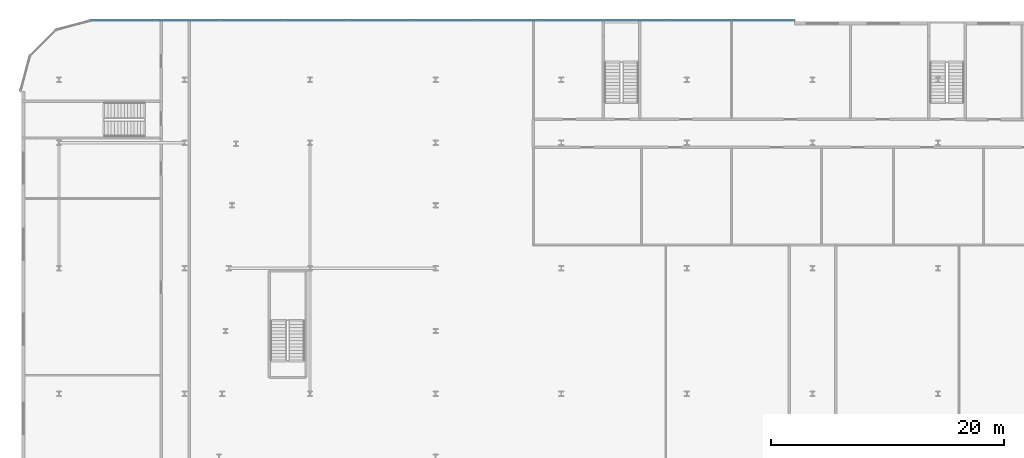
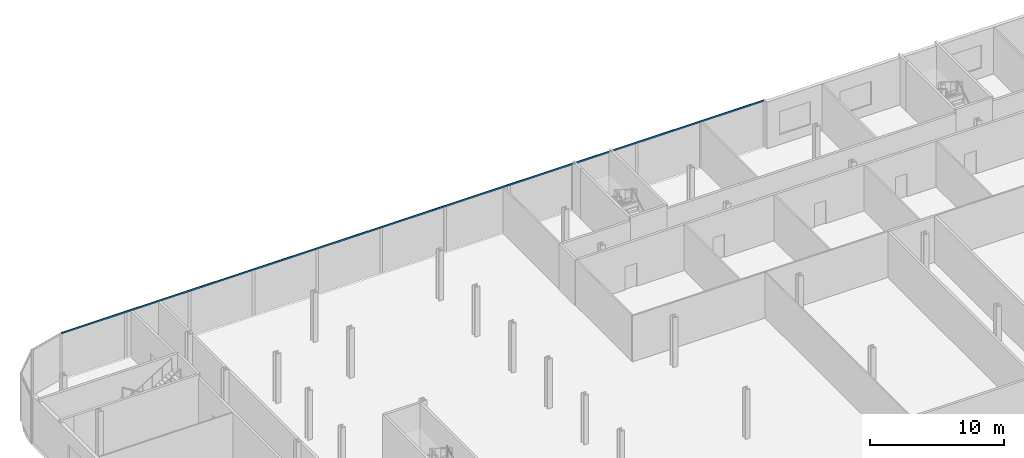
# One storey, part 17 of 47: 1 member, 1 element without a shape of its own.
"""IFC4 building model written with IfcOpenShell, lengths in metres."""

from ifc_helpers import new_model, si_unit, direction, frame, origin, origin_2d, place, context, subcontext, project, spatial, rectangle, extrude, material, layer, layer_set, material_profile, profile_set, type_object, element, aggregate, save


model = new_model("IFC4")

# Units and contexts
model_context = context("Model", 3, precision=1e-05, world=origin(), true_north=direction((0.0, 1.0)))
body_context = subcontext(model_context, "Body", "Model", "MODEL_VIEW")
ifc_project = project(units=[si_unit("LENGTHUNIT", "METRE"), si_unit("AREAUNIT", "SQUARE_METRE"), si_unit("VOLUMEUNIT", "CUBIC_METRE"), si_unit("PLANEANGLEUNIT", "RADIAN"), si_unit("MASSUNIT", "GRAM", prefix="KILO")], contexts=[model_context])

# Site, building, storey
site_placement = place(None, origin())
site = spatial("IfcSite", under=ifc_project, at=site_placement, CompositionType="ELEMENT")
building_placement = place(site_placement, origin())
building = spatial("IfcBuilding", under=site, at=building_placement, Name="Kheshtan School and Residences Tower", CompositionType="ELEMENT")
storey_placement = place(building_placement, frame((0.0, 0.0, 12.5)))
storey = spatial("IfcBuildingStorey", under=building, at=storey_placement, Name="L02", CompositionType="ELEMENT", Elevation=12.5)

# Curtain wall, member
ifc_material_1 = material(Name="Clear low-e glass in thermally broken aluminium frame", Category="aluminium")
ifc_layer = layer(ifc_material_1, 0.22509765625)
ifc_layer_set = layer_set([ifc_layer], Name="Curtain wall CW-P")
curtain_wall_type = type_object("IfcCurtainWallType", Name="Curtain wall CW-P", PredefinedType="NOTDEFINED", material=ifc_layer_set)
curtain_wall_placement = place(storey_placement, origin())
curtain_wall = element("IfcCurtainWall", 1, at=curtain_wall_placement, inside=storey, type_object=curtain_wall_type, Name="Curtain wall CWP4a", PredefinedType="NOTDEFINED")
ifc_material_2 = material(Name="Thermally broken aluminium, dark bronze anodised", Category="aluminium")
ifc_material_profile = material_profile(ifc_material_2, rectangle(XDim=0.06005859375, YDim=0.139892578125, at=origin_2d()), Name="CW-P transom 60x140")
ifc_profile_set = profile_set([ifc_material_profile], Name="Thermally broken aluminium, dark bronze anodised")
member_type = type_object("IfcMemberType", Name="CW-P transom 60x140", PredefinedType="USERDEFINED", material=ifc_profile_set)
member_placement = place(storey_placement, frame((17.97509765625, 110.10009765625, 4.179931640625), z_axis=(1.0, 0.0, 0.0), x_axis=(0.0, 1.0, 0.0)))
member = element("IfcMember", 2, at=member_placement, type_object=member_type, Name="CWP4a transom 1", ObjectType="TRANSOM", PredefinedType="USERDEFINED", context=body_context, shape_type="SweptSolid", body=[
    extrude(rectangle(XDim=0.06005859375, YDim=0.139892578125, at=origin_2d()), origin(), (0.0, 0.0, 1.0), 60.44482421875),
])
aggregate(curtain_wall, [member])

save(model, "model.ifc")
